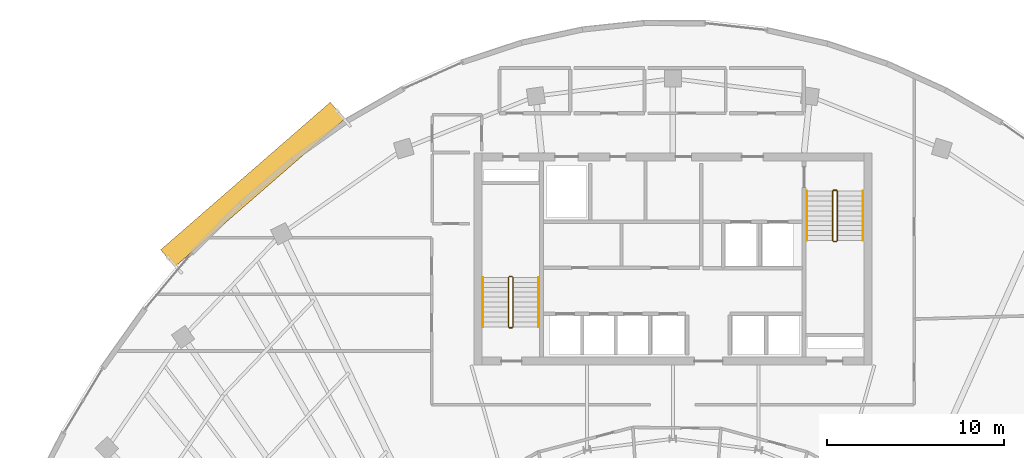
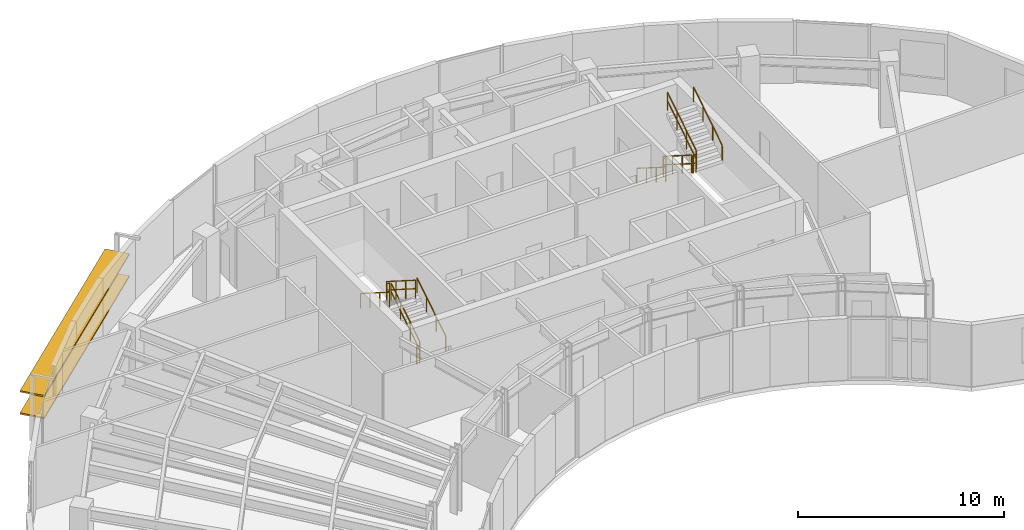
# One storey, part 12 of 12: 12 railings, 2 shading devices.
"""IFC4 building model written with IfcOpenShell, lengths in metres."""

from ifc_helpers import new_model, si_unit, direction, frame, origin, origin_2d, place, context, subcontext, project, spatial, rectangle, extrude, source, transform, mapped, material, material_profile, profile_set, type_object, element, save


model = new_model("IFC4")

# Units and contexts
model_context = context("Model", 3, precision=1e-05, world=origin(), true_north=direction((0.0, 1.0)))
body_context = subcontext(model_context, "Body", "Model", "MODEL_VIEW")
ifc_project = project(units=[si_unit("LENGTHUNIT", "METRE"), si_unit("AREAUNIT", "SQUARE_METRE"), si_unit("VOLUMEUNIT", "CUBIC_METRE"), si_unit("PLANEANGLEUNIT", "RADIAN"), si_unit("MASSUNIT", "GRAM", prefix="KILO")], contexts=[model_context])

# Site, building, storey
site_placement = place(None, origin())
site = spatial("IfcSite", under=ifc_project, at=site_placement, CompositionType="ELEMENT")
building_placement = place(site_placement, origin())
building = spatial("IfcBuilding", under=site, at=building_placement, Name="Breltana Convention Tower", CompositionType="ELEMENT")
storey_placement = place(building_placement, frame((0.0, 0.0, 235.199951171875)))
storey = spatial("IfcBuildingStorey", under=building, at=storey_placement, Name="L57", CompositionType="ELEMENT", Elevation=235.199951171875)

# Railings
ifc_material_1 = material(Name="Steel S275 Painted", Category="steel")
railing_type_1 = type_object("IfcRailingType", Name="RL-STAIR-GUARD-1100", PredefinedType="GUARDRAIL", material=ifc_material_1)
railing_1_placement = place(storey_placement, frame((38.9599609375, 62.360107421875, 0.17724609375)))
element("IfcRailing", 1, at=railing_1_placement, inside=storey, type_object=railing_type_1, Name="L57 ST-1 stair guard 1", PredefinedType="GUARDRAIL", context=body_context, shape_type="SweptSolid", body=[
    extrude(rectangle(XDim=0.048095703125, YDim=0.048095703125, at=origin_2d()), frame((0.0, 0.0, 1.076171875), z_axis=(0.0, 0.844887892834, 0.53494340686), x_axis=(-1.0, 0.0, 0.0)), (0.0, 0.0, 1.0), 3.313720703125),
    extrude(rectangle(XDim=0.048095703125, YDim=0.048095703125, at=origin_2d()), frame((0.0, 0.0, 0.572021484375), z_axis=(0.0, 0.844887892834, 0.53494340686), x_axis=(-1.0, 0.0, 0.0)), (0.0, 0.0, 1.0), 3.313720703125),
    extrude(rectangle(XDim=0.0419921875, YDim=0.0419921875, at=origin_2d()), origin(), (0.0, 0.0, 1.0), 1.052001953125),
    extrude(rectangle(XDim=0.0419921875, YDim=0.0419921875, at=origin_2d()), frame((0.0, 0.933349609375, 0.5908203125)), (0.0, 0.0, 1.0), 1.052001953125),
    extrude(rectangle(XDim=0.0419921875, YDim=0.0419921875, at=origin_2d()), frame((0.0, 1.866455078125, 1.181884765625)), (0.0, 0.0, 1.0), 1.052001953125),
    extrude(rectangle(XDim=0.0419921875, YDim=0.0419921875, at=origin_2d()), frame((0.0, 2.7998046875, 1.772705078125)), (0.0, 0.0, 1.0), 1.052001953125),
])
railing_2_placement = place(storey_placement, frame((38.909912109375, 65.2099609375, 1.949951171875)))
element("IfcRailing", 2, at=railing_2_placement, inside=storey, type_object=railing_type_1, Name="L57 ST-1 stair guard 2", PredefinedType="GUARDRAIL", context=body_context, shape_type="SweptSolid", body=[
    extrude(rectangle(XDim=0.048095703125, YDim=0.048095703125, at=origin_2d()), frame((0.0, 0.0, 1.076171875), z_axis=(-1.0, 0.0, 0.0), x_axis=(0.0, -1.0, 0.0)), (0.0, 0.0, 1.0), 0.14990234375),
    extrude(rectangle(XDim=0.048095703125, YDim=0.048095703125, at=origin_2d()), frame((0.0, 0.0, 0.572021484375), z_axis=(-1.0, 0.0, 0.0), x_axis=(0.0, -1.0, 0.0)), (0.0, 0.0, 1.0), 0.14990234375),
    extrude(rectangle(XDim=0.0419921875, YDim=0.0419921875, at=origin_2d()), origin(), (0.0, 0.0, 1.0), 1.052001953125),
    extrude(rectangle(XDim=0.0419921875, YDim=0.0419921875, at=origin_2d()), frame((-0.14990234375, 0.0, 0.0)), (0.0, 0.0, 1.0), 1.052001953125),
])
railing_3_placement = place(storey_placement, frame((38.7099609375, 65.159912109375, 2.12744140625)))
element("IfcRailing", 3, at=railing_3_placement, inside=storey, type_object=railing_type_1, Name="L57 ST-1 stair guard 3", PredefinedType="GUARDRAIL", context=body_context, shape_type="SweptSolid", body=[
    extrude(rectangle(XDim=0.048095703125, YDim=0.048095703125, at=origin_2d()), frame((0.0, 0.0, 1.076171875), z_axis=(0.0, -0.844887892834, 0.53494340686), x_axis=(1.0, 0.0, 0.0)), (0.0, 0.0, 1.0), 3.313720703125),
    extrude(rectangle(XDim=0.048095703125, YDim=0.048095703125, at=origin_2d()), frame((0.0, 0.0, 0.572021484375), z_axis=(0.0, -0.844887892834, 0.53494340686), x_axis=(1.0, 0.0, 0.0)), (0.0, 0.0, 1.0), 3.313720703125),
    extrude(rectangle(XDim=0.0419921875, YDim=0.0419921875, at=origin_2d()), origin(), (0.0, 0.0, 1.0), 1.052001953125),
    extrude(rectangle(XDim=0.0419921875, YDim=0.0419921875, at=origin_2d()), frame((0.0, -0.933349609375, 0.5908203125)), (0.0, 0.0, 1.0), 1.052001953125),
    extrude(rectangle(XDim=0.0419921875, YDim=0.0419921875, at=origin_2d()), frame((0.0, -1.866455078125, 1.181884765625)), (0.0, 0.0, 1.0), 1.052001953125),
    extrude(rectangle(XDim=0.0419921875, YDim=0.0419921875, at=origin_2d()), frame((0.0, -2.7998046875, 1.772705078125)), (0.0, 0.0, 1.0), 1.052001953125),
])
railing_4_placement = place(storey_placement, frame((38.909912109375, 62.31005859375, 0.0)))
element("IfcRailing", 4, at=railing_4_placement, inside=storey, type_object=railing_type_1, Name="L57 ST-1 stair guard 4", PredefinedType="GUARDRAIL", context=body_context, shape_type="SweptSolid", body=[
    extrude(rectangle(XDim=0.048095703125, YDim=0.048095703125, at=origin_2d()), frame((0.0, 0.0, 1.076171875), z_axis=(-1.0, 0.0, 0.0), x_axis=(0.0, -1.0, 0.0)), (0.0, 0.0, 1.0), 0.14990234375),
    extrude(rectangle(XDim=0.048095703125, YDim=0.048095703125, at=origin_2d()), frame((0.0, 0.0, 0.572021484375), z_axis=(-1.0, 0.0, 0.0), x_axis=(0.0, -1.0, 0.0)), (0.0, 0.0, 1.0), 0.14990234375),
    extrude(rectangle(XDim=0.0419921875, YDim=0.0419921875, at=origin_2d()), origin(), (0.0, 0.0, 1.0), 1.052001953125),
    extrude(rectangle(XDim=0.0419921875, YDim=0.0419921875, at=origin_2d()), frame((-0.14990234375, 0.0, 0.0)), (0.0, 0.0, 1.0), 1.052001953125),
])
railing_5_placement = place(storey_placement, frame((57.0400390625, 70.0400390625, 0.17724609375)))
element("IfcRailing", 5, at=railing_5_placement, inside=storey, type_object=railing_type_1, Name="L57 ST-2 stair guard 1", PredefinedType="GUARDRAIL", context=body_context, shape_type="SweptSolid", body=[
    extrude(rectangle(XDim=0.048095703125, YDim=0.048095703125, at=origin_2d()), frame((0.0, 0.0, 1.076171875), z_axis=(0.0, -0.844908973607, 0.534910110503), x_axis=(1.0, 0.0, 0.0)), (0.0, 0.0, 1.0), 3.31396484375),
    extrude(rectangle(XDim=0.048095703125, YDim=0.048095703125, at=origin_2d()), frame((0.0, 0.0, 0.572021484375), z_axis=(0.0, -0.844908973607, 0.534910110503), x_axis=(1.0, 0.0, 0.0)), (0.0, 0.0, 1.0), 3.31396484375),
    extrude(rectangle(XDim=0.0419921875, YDim=0.0419921875, at=origin_2d()), origin(), (0.0, 0.0, 1.0), 1.052001953125),
    extrude(rectangle(XDim=0.0419921875, YDim=0.0419921875, at=origin_2d()), frame((0.0, -0.933349609375, 0.5908203125)), (0.0, 0.0, 1.0), 1.052001953125),
    extrude(rectangle(XDim=0.0419921875, YDim=0.0419921875, at=origin_2d()), frame((0.0, -1.86669921875, 1.181884765625)), (0.0, 0.0, 1.0), 1.052001953125),
    extrude(rectangle(XDim=0.0419921875, YDim=0.0419921875, at=origin_2d()), frame((0.0, -2.800048828125, 1.772705078125)), (0.0, 0.0, 1.0), 1.052001953125),
])
railing_6_placement = place(storey_placement, frame((57.090087890625, 67.18994140625, 1.949951171875)))
element("IfcRailing", 6, at=railing_6_placement, inside=storey, type_object=railing_type_1, Name="L57 ST-2 stair guard 2", PredefinedType="GUARDRAIL", context=body_context, shape_type="SweptSolid", body=[
    extrude(rectangle(XDim=0.048095703125, YDim=0.048095703125, at=origin_2d()), frame((0.0, 0.0, 1.076171875), z_axis=(1.0, 0.0, 0.0), x_axis=(0.0, 1.0, 0.0)), (0.0, 0.0, 1.0), 0.14990234375),
    extrude(rectangle(XDim=0.048095703125, YDim=0.048095703125, at=origin_2d()), frame((0.0, 0.0, 0.572021484375), z_axis=(1.0, 0.0, 0.0), x_axis=(0.0, 1.0, 0.0)), (0.0, 0.0, 1.0), 0.14990234375),
    extrude(rectangle(XDim=0.0419921875, YDim=0.0419921875, at=origin_2d()), origin(), (0.0, 0.0, 1.0), 1.052001953125),
    extrude(rectangle(XDim=0.0419921875, YDim=0.0419921875, at=origin_2d()), frame((0.14990234375, 0.0, 0.0)), (0.0, 0.0, 1.0), 1.052001953125),
])
railing_7_placement = place(storey_placement, frame((57.2900390625, 67.239990234375, 2.12744140625)))
element("IfcRailing", 7, at=railing_7_placement, inside=storey, type_object=railing_type_1, Name="L57 ST-2 stair guard 3", PredefinedType="GUARDRAIL", context=body_context, shape_type="SweptSolid", body=[
    extrude(rectangle(XDim=0.048095703125, YDim=0.048095703125, at=origin_2d()), frame((0.0, 0.0, 1.076171875), z_axis=(0.0, 0.844908973607, 0.534910110503), x_axis=(-1.0, 0.0, 0.0)), (0.0, 0.0, 1.0), 3.31396484375),
    extrude(rectangle(XDim=0.048095703125, YDim=0.048095703125, at=origin_2d()), frame((0.0, 0.0, 0.572021484375), z_axis=(0.0, 0.844908973607, 0.534910110503), x_axis=(-1.0, 0.0, 0.0)), (0.0, 0.0, 1.0), 3.31396484375),
    extrude(rectangle(XDim=0.0419921875, YDim=0.0419921875, at=origin_2d()), origin(), (0.0, 0.0, 1.0), 1.052001953125),
    extrude(rectangle(XDim=0.0419921875, YDim=0.0419921875, at=origin_2d()), frame((0.0, 0.933349609375, 0.5908203125)), (0.0, 0.0, 1.0), 1.052001953125),
    extrude(rectangle(XDim=0.0419921875, YDim=0.0419921875, at=origin_2d()), frame((0.0, 1.86669921875, 1.181884765625)), (0.0, 0.0, 1.0), 1.052001953125),
    extrude(rectangle(XDim=0.0419921875, YDim=0.0419921875, at=origin_2d()), frame((0.0, 2.800048828125, 1.772705078125)), (0.0, 0.0, 1.0), 1.052001953125),
])
railing_8_placement = place(storey_placement, frame((57.090087890625, 70.090087890625, 0.0)))
element("IfcRailing", 8, at=railing_8_placement, inside=storey, type_object=railing_type_1, Name="L57 ST-2 stair guard 4", PredefinedType="GUARDRAIL", context=body_context, shape_type="SweptSolid", body=[
    extrude(rectangle(XDim=0.048095703125, YDim=0.048095703125, at=origin_2d()), frame((0.0, 0.0, 1.076171875), z_axis=(1.0, 0.0, 0.0), x_axis=(0.0, 1.0, 0.0)), (0.0, 0.0, 1.0), 0.14990234375),
    extrude(rectangle(XDim=0.048095703125, YDim=0.048095703125, at=origin_2d()), frame((0.0, 0.0, 0.572021484375), z_axis=(1.0, 0.0, 0.0), x_axis=(0.0, 1.0, 0.0)), (0.0, 0.0, 1.0), 0.14990234375),
    extrude(rectangle(XDim=0.0419921875, YDim=0.0419921875, at=origin_2d()), origin(), (0.0, 0.0, 1.0), 1.052001953125),
    extrude(rectangle(XDim=0.0419921875, YDim=0.0419921875, at=origin_2d()), frame((0.14990234375, 0.0, 0.0)), (0.0, 0.0, 1.0), 1.052001953125),
])
ifc_material_2 = material(Name="Stainless Steel 316L", Category="steel")
railing_type_2 = type_object("IfcRailingType", Name="RL-STAIR-HANDRAIL-900", PredefinedType="HANDRAIL", material=ifc_material_2)
railing_9_placement = place(storey_placement, frame((40.419921875, 62.360107421875, 0.17724609375)))
element("IfcRailing", 9, at=railing_9_placement, inside=storey, type_object=railing_type_2, Name="L57 ST-1 stair handrail 1", PredefinedType="HANDRAIL", context=body_context, shape_type="SweptSolid", body=[
    extrude(rectangle(XDim=0.048095703125, YDim=0.048095703125, at=origin_2d()), frame((0.0, 0.0, 0.8759765625), z_axis=(0.0, 0.844887892834, 0.53494340686), x_axis=(-1.0, 0.0, 0.0)), (0.0, 0.0, 1.0), 3.313720703125),
    extrude(rectangle(XDim=0.0419921875, YDim=0.0419921875, at=origin_2d()), origin(), (0.0, 0.0, 1.0), 0.851806640625),
    extrude(rectangle(XDim=0.0419921875, YDim=0.0419921875, at=origin_2d()), frame((0.0, 0.933349609375, 0.5908203125)), (0.0, 0.0, 1.0), 0.851806640625),
    extrude(rectangle(XDim=0.0419921875, YDim=0.0419921875, at=origin_2d()), frame((0.0, 1.866455078125, 1.181884765625)), (0.0, 0.0, 1.0), 0.851806640625),
    extrude(rectangle(XDim=0.0419921875, YDim=0.0419921875, at=origin_2d()), frame((0.0, 2.7998046875, 1.772705078125)), (0.0, 0.0, 1.0), 0.851806640625),
])
railing_10_placement = place(storey_placement, frame((37.25, 65.159912109375, 2.12744140625)))
element("IfcRailing", 10, at=railing_10_placement, inside=storey, type_object=railing_type_2, Name="L57 ST-1 stair handrail 2", PredefinedType="HANDRAIL", context=body_context, shape_type="SweptSolid", body=[
    extrude(rectangle(XDim=0.048095703125, YDim=0.048095703125, at=origin_2d()), frame((0.0, 0.0, 0.8759765625), z_axis=(0.0, -0.844887892834, 0.53494340686), x_axis=(1.0, 0.0, 0.0)), (0.0, 0.0, 1.0), 3.313720703125),
    extrude(rectangle(XDim=0.0419921875, YDim=0.0419921875, at=origin_2d()), origin(), (0.0, 0.0, 1.0), 0.851806640625),
    extrude(rectangle(XDim=0.0419921875, YDim=0.0419921875, at=origin_2d()), frame((0.0, -0.933349609375, 0.5908203125)), (0.0, 0.0, 1.0), 0.851806640625),
    extrude(rectangle(XDim=0.0419921875, YDim=0.0419921875, at=origin_2d()), frame((0.0, -1.866455078125, 1.181884765625)), (0.0, 0.0, 1.0), 0.851806640625),
    extrude(rectangle(XDim=0.0419921875, YDim=0.0419921875, at=origin_2d()), frame((0.0, -2.7998046875, 1.772705078125)), (0.0, 0.0, 1.0), 0.851806640625),
])
railing_11_placement = place(storey_placement, frame((55.580078125, 70.0400390625, 0.17724609375)))
element("IfcRailing", 11, at=railing_11_placement, inside=storey, type_object=railing_type_2, Name="L57 ST-2 stair handrail 1", PredefinedType="HANDRAIL", context=body_context, shape_type="SweptSolid", body=[
    extrude(rectangle(XDim=0.048095703125, YDim=0.048095703125, at=origin_2d()), frame((0.0, 0.0, 0.8759765625), z_axis=(0.0, -0.844908973607, 0.534910110503), x_axis=(1.0, 0.0, 0.0)), (0.0, 0.0, 1.0), 3.31396484375),
    extrude(rectangle(XDim=0.0419921875, YDim=0.0419921875, at=origin_2d()), origin(), (0.0, 0.0, 1.0), 0.851806640625),
    extrude(rectangle(XDim=0.0419921875, YDim=0.0419921875, at=origin_2d()), frame((0.0, -0.933349609375, 0.5908203125)), (0.0, 0.0, 1.0), 0.851806640625),
    extrude(rectangle(XDim=0.0419921875, YDim=0.0419921875, at=origin_2d()), frame((0.0, -1.86669921875, 1.181884765625)), (0.0, 0.0, 1.0), 0.851806640625),
    extrude(rectangle(XDim=0.0419921875, YDim=0.0419921875, at=origin_2d()), frame((0.0, -2.800048828125, 1.772705078125)), (0.0, 0.0, 1.0), 0.851806640625),
])
railing_12_placement = place(storey_placement, frame((58.75, 67.239990234375, 2.12744140625)))
element("IfcRailing", 12, at=railing_12_placement, inside=storey, type_object=railing_type_2, Name="L57 ST-2 stair handrail 2", PredefinedType="HANDRAIL", context=body_context, shape_type="SweptSolid", body=[
    extrude(rectangle(XDim=0.048095703125, YDim=0.048095703125, at=origin_2d()), frame((0.0, 0.0, 0.8759765625), z_axis=(0.0, 0.844908973607, 0.534910110503), x_axis=(-1.0, 0.0, 0.0)), (0.0, 0.0, 1.0), 3.31396484375),
    extrude(rectangle(XDim=0.0419921875, YDim=0.0419921875, at=origin_2d()), origin(), (0.0, 0.0, 1.0), 0.851806640625),
    extrude(rectangle(XDim=0.0419921875, YDim=0.0419921875, at=origin_2d()), frame((0.0, 0.933349609375, 0.5908203125)), (0.0, 0.0, 1.0), 0.851806640625),
    extrude(rectangle(XDim=0.0419921875, YDim=0.0419921875, at=origin_2d()), frame((0.0, 1.86669921875, 1.181884765625)), (0.0, 0.0, 1.0), 0.851806640625),
    extrude(rectangle(XDim=0.0419921875, YDim=0.0419921875, at=origin_2d()), frame((0.0, 2.800048828125, 1.772705078125)), (0.0, 0.0, 1.0), 0.851806640625),
])

# Shading devices
ifc_material_3 = material(Name="Limestone Warm Buff Honed", Category="masonry")
ifc_material_profile = material_profile(ifc_material_3, rectangle(XDim=1.25, YDim=0.090087890625, at=origin_2d()), Name="STN-LVR-1250X90")
ifc_profile_set = profile_set([ifc_material_profile], Name="Limestone Warm Buff Honed")
shading_device_type = type_object("IfcShadingDeviceType", Name="SHD-OUTER-SKIN-LIMESTONE-1250", PredefinedType="JALOUSIE", material=ifc_profile_set)
shared_shape = source(origin(), body_context, "Body", "SweptSolid", [
    extrude(rectangle(XDim=1.25, YDim=0.090087890625, at=origin_2d()), origin(), (0.0, 0.0, 1.0), 12.716064453125),
])
for number, where, z_axis, x_axis, name in (
    (13, (19.4482421875, 66.243408203125, 1.31396484375), (0.754376904049, 0.656441533298, 0.0), (-0.656441533298, 0.754376904049, 0.0), "L57 outer skin warm limestone louvre 1.1"),
    (14, (19.4482421875, 66.243408203125, 2.6279296875), (0.754376904049, 0.656441533298, 0.0), (-0.656441533298, 0.754376904049, 0.0), "L57 outer skin warm limestone louvre 1.2"),
):
    element("IfcShadingDevice", number, at=place(storey_placement, frame(where, z_axis=z_axis, x_axis=x_axis)), inside=storey, type_object=shading_device_type, Name=name, PredefinedType="JALOUSIE", context=body_context, shape_type="MappedRepresentation", body=[
        mapped(shared_shape, transform((0.0, 0.0, 0.0), scale=1.0)),
    ])

save(model, "model.ifc")
